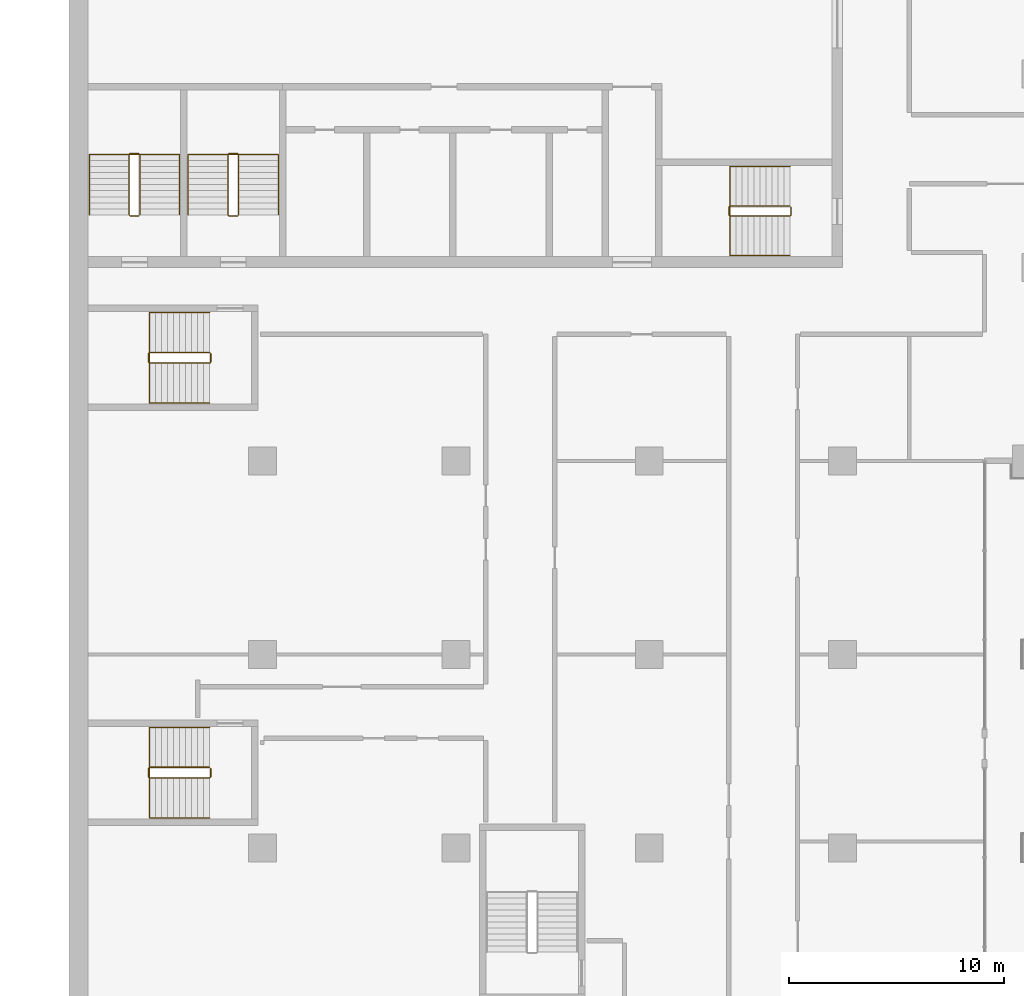
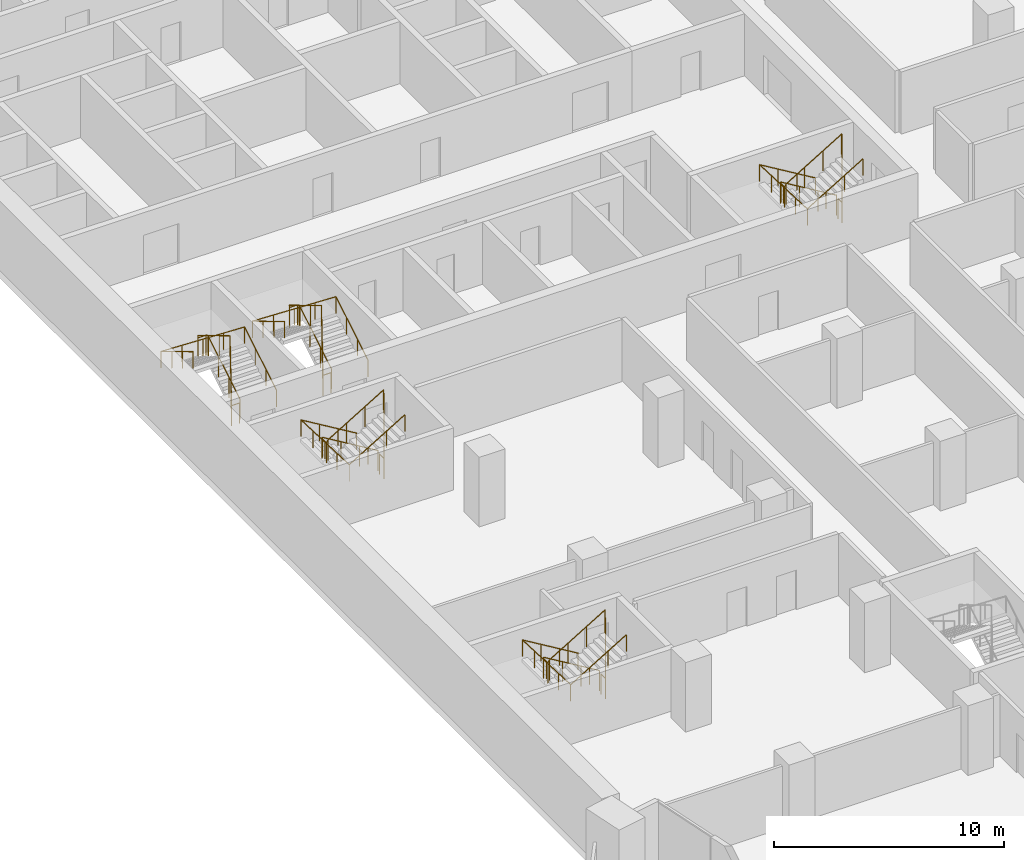
# One storey, part 20 of 22: 10 railings.
"""IFC4 building model written with IfcOpenShell, lengths in metres."""

from ifc_helpers import new_model, si_unit, direction, frame, origin, origin_2d, place, context, subcontext, project, spatial, circle, extrude, material, type_object, element, save


model = new_model("IFC4")

# Units and contexts
model_context = context("Model", 3, precision=1e-05, world=origin(), true_north=direction((0.0, 1.0)))
body_context = subcontext(model_context, "Body", "Model", "MODEL_VIEW")
ifc_project = project(units=[si_unit("LENGTHUNIT", "METRE"), si_unit("AREAUNIT", "SQUARE_METRE"), si_unit("VOLUMEUNIT", "CUBIC_METRE"), si_unit("PLANEANGLEUNIT", "RADIAN"), si_unit("MASSUNIT", "GRAM", prefix="KILO")], contexts=[model_context])

# Site, building, storey
site_placement = place(None, origin())
site = spatial("IfcSite", under=ifc_project, at=site_placement, CompositionType="ELEMENT")
building_placement = place(site_placement, origin())
building = spatial("IfcBuilding", under=site, at=building_placement, Name="Hunhe Ridgeline Campus", CompositionType="ELEMENT")
storey_placement = place(building_placement, frame((0.0, 0.0, 88.5)))
storey = spatial("IfcBuildingStorey", under=building, at=storey_placement, Name="L21", CompositionType="ELEMENT", Elevation=88.5)

# Railings
ifc_material_1 = material(Name="Stainless steel balustrade", Category="steel")
railing_type_1 = type_object("IfcRailingType", Name="Stair guard 1100 stainless", PredefinedType="GUARDRAIL", material=ifc_material_1)
railing_1_placement = place(storey_placement, frame((33.550048828125, 65.85009765625, 0.168212890625)))
element("IfcRailing", 1, at=railing_1_placement, inside=storey, type_object=railing_type_1, Name="L21 stair S2 guard", PredefinedType="GUARDRAIL", context=body_context, shape_type="SweptSolid", body=[
    extrude(circle(Radius=0.02392578125, at=origin_2d()), frame((0.0, 0.0, 1.076171875), z_axis=(-0.857242210791, 0.0, 0.514913383045), x_axis=(0.0, -1.0, 0.0)), (0.0, 0.0, 1.0), 3.266357421875),
    extrude(circle(Radius=0.02392578125, at=origin_2d()), frame((-2.800048828125, 0.0, 2.7578125), z_axis=(-0.707106781187, -0.707106781187, 0.0), x_axis=(0.707106781187, -0.707106781187, 0.0)), (0.0, 0.0, 1.0), 0.07080078125),
    extrude(circle(Radius=0.02392578125, at=origin_2d()), frame((-2.85009765625, -0.050048828125, 2.7578125), z_axis=(0.0, -1.0, 0.0), x_axis=(1.0, 0.0, 0.0)), (0.0, 0.0, 1.0), 0.35009765625),
    extrude(circle(Radius=0.02392578125, at=origin_2d()), frame((-2.85009765625, -0.400146484375, 2.7578125), z_axis=(0.274582412415, -0.274582412415, 0.921525364591), x_axis=(0.707106781187, 0.707106781187, 0.0)), (0.0, 0.0, 1.0), 0.182373046875),
    extrude(circle(Radius=0.02392578125, at=origin_2d()), frame((-2.800048828125, -0.4501953125, 2.92578125), z_axis=(0.857242210791, 0.0, 0.514913383045), x_axis=(0.0, 1.0, 0.0)), (0.0, 0.0, 1.0), 3.266357421875),
    extrude(circle(Radius=0.02392578125, at=origin_2d()), frame((0.0, -0.4501953125, 4.60791015625), z_axis=(0.013524414389, 0.013524414389, -0.999817073484), x_axis=(-0.707106781187, 0.707106781187, 0.0)), (0.0, 0.0, 1.0), 3.70068359375),
    extrude(circle(Radius=0.02392578125, at=origin_2d()), frame((0.050048828125, -0.400146484375, 0.90771484375), z_axis=(0.0, 1.0, 0.0), x_axis=(-1.0, 0.0, 0.0)), (0.0, 0.0, 1.0), 0.35009765625),
    extrude(circle(Radius=0.02099609375, at=origin_2d()), origin(), (0.0, 0.0, 1.0), 1.052001953125),
    extrude(circle(Radius=0.02099609375, at=origin_2d()), frame((-0.933349609375, 0.0, 0.560546875)), (0.0, 0.0, 1.0), 1.052001953125),
    extrude(circle(Radius=0.02099609375, at=origin_2d()), frame((-1.86669921875, 0.0, 1.121337890625)), (0.0, 0.0, 1.0), 1.052001953125),
    extrude(circle(Radius=0.02099609375, at=origin_2d()), frame((-2.800048828125, 0.0, 1.681884765625)), (0.0, 0.0, 1.0), 1.052001953125),
    extrude(circle(Radius=0.02099609375, at=origin_2d()), frame((-2.85009765625, -0.050048828125, 1.681884765625)), (0.0, 0.0, 1.0), 1.052001953125),
    extrude(circle(Radius=0.02099609375, at=origin_2d()), frame((-2.85009765625, -0.400146484375, 1.681884765625)), (0.0, 0.0, 1.0), 1.052001953125),
    extrude(circle(Radius=0.02099609375, at=origin_2d()), frame((-2.800048828125, -0.4501953125, 1.849853515625)), (0.0, 0.0, 1.0), 1.052001953125),
    extrude(circle(Radius=0.02099609375, at=origin_2d()), frame((-1.86669921875, -0.4501953125, 2.410400390625)), (0.0, 0.0, 1.0), 1.052001953125),
    extrude(circle(Radius=0.02099609375, at=origin_2d()), frame((-0.933349609375, -0.4501953125, 2.97119140625)), (0.0, 0.0, 1.0), 1.052001953125),
    extrude(circle(Radius=0.02099609375, at=origin_2d()), frame((0.0, -0.4501953125, 3.53173828125)), (0.0, 0.0, 1.0), 1.052001953125),
    extrude(circle(Radius=0.02099609375, at=origin_2d()), frame((0.012451171875, -0.437744140625, 2.606689453125)), (0.0, 0.0, 1.0), 1.052001953125),
    extrude(circle(Radius=0.02099609375, at=origin_2d()), frame((0.02490234375, -0.42529296875, 1.681640625)), (0.0, 0.0, 1.0), 1.052001953125),
    extrude(circle(Radius=0.02099609375, at=origin_2d()), frame((0.03759765625, -0.41259765625, 0.7568359375)), (0.0, 0.0, 1.0), 1.052001953125),
    extrude(circle(Radius=0.02099609375, at=origin_2d()), frame((0.050048828125, -0.400146484375, -0.168212890625)), (0.0, 0.0, 1.0), 1.052001953125),
    extrude(circle(Radius=0.02099609375, at=origin_2d()), frame((0.050048828125, -0.050048828125, -0.168212890625)), (0.0, 0.0, 1.0), 1.052001953125),
])
railing_2_placement = place(storey_placement, frame((3.300048828125, 65.449951171875, 0.168212890625)))
element("IfcRailing", 2, at=railing_2_placement, inside=storey, type_object=railing_type_1, Name="L21 stair S3 guard", PredefinedType="GUARDRAIL", context=body_context, shape_type="SweptSolid", body=[
    extrude(circle(Radius=0.02392578125, at=origin_2d()), frame((0.0, 0.0, 1.076171875), z_axis=(0.0, 0.857242210791, 0.514913383045), x_axis=(-1.0, 0.0, 0.0)), (0.0, 0.0, 1.0), 3.266357421875),
    extrude(circle(Radius=0.02392578125, at=origin_2d()), frame((0.0, 2.800048828125, 2.7578125), z_axis=(-0.707106781187, 0.707106781187, 0.0), x_axis=(-0.707106781187, -0.707106781187, 0.0)), (0.0, 0.0, 1.0), 0.07080078125),
    extrude(circle(Radius=0.02392578125, at=origin_2d()), frame((-0.050048828125, 2.85009765625, 2.7578125), z_axis=(-1.0, 0.0, 0.0), x_axis=(0.0, -1.0, 0.0)), (0.0, 0.0, 1.0), 0.39990234375),
    extrude(circle(Radius=0.02392578125, at=origin_2d()), frame((-0.449951171875, 2.85009765625, 2.7578125), z_axis=(-0.274582412415, -0.274582412415, 0.921525364591), x_axis=(0.707106781187, -0.707106781187, 0.0)), (0.0, 0.0, 1.0), 0.182373046875),
    extrude(circle(Radius=0.02392578125, at=origin_2d()), frame((-0.5, 2.800048828125, 2.92578125), z_axis=(0.0, -0.857242210791, 0.514913383045), x_axis=(1.0, 0.0, 0.0)), (0.0, 0.0, 1.0), 3.266357421875),
    extrude(circle(Radius=0.02392578125, at=origin_2d()), frame((-0.5, 0.0, 4.60791015625), z_axis=(0.013524414389, -0.013524414389, -0.999817073484), x_axis=(0.707106781187, 0.707106781187, 0.0)), (0.0, 0.0, 1.0), 3.70068359375),
    extrude(circle(Radius=0.02392578125, at=origin_2d()), frame((-0.449951171875, -0.050048828125, 0.90771484375), z_axis=(1.0, 0.0, 0.0), x_axis=(0.0, 1.0, 0.0)), (0.0, 0.0, 1.0), 0.39990234375),
    extrude(circle(Radius=0.02099609375, at=origin_2d()), origin(), (0.0, 0.0, 1.0), 1.052001953125),
    extrude(circle(Radius=0.02099609375, at=origin_2d()), frame((0.0, 0.933349609375, 0.560546875)), (0.0, 0.0, 1.0), 1.052001953125),
    extrude(circle(Radius=0.02099609375, at=origin_2d()), frame((0.0, 1.86669921875, 1.121337890625)), (0.0, 0.0, 1.0), 1.052001953125),
    extrude(circle(Radius=0.02099609375, at=origin_2d()), frame((0.0, 2.800048828125, 1.681884765625)), (0.0, 0.0, 1.0), 1.052001953125),
    extrude(circle(Radius=0.02099609375, at=origin_2d()), frame((-0.050048828125, 2.85009765625, 1.681884765625)), (0.0, 0.0, 1.0), 1.052001953125),
    extrude(circle(Radius=0.02099609375, at=origin_2d()), frame((-0.449951171875, 2.85009765625, 1.681884765625)), (0.0, 0.0, 1.0), 1.052001953125),
    extrude(circle(Radius=0.02099609375, at=origin_2d()), frame((-0.5, 2.800048828125, 1.849853515625)), (0.0, 0.0, 1.0), 1.052001953125),
    extrude(circle(Radius=0.02099609375, at=origin_2d()), frame((-0.5, 1.86669921875, 2.410400390625)), (0.0, 0.0, 1.0), 1.052001953125),
    extrude(circle(Radius=0.02099609375, at=origin_2d()), frame((-0.5, 0.933349609375, 2.97119140625)), (0.0, 0.0, 1.0), 1.052001953125),
    extrude(circle(Radius=0.02099609375, at=origin_2d()), frame((-0.5, 0.0, 3.53173828125)), (0.0, 0.0, 1.0), 1.052001953125),
    extrude(circle(Radius=0.02099609375, at=origin_2d()), frame((-0.487548828125, -0.012451171875, 2.606689453125)), (0.0, 0.0, 1.0), 1.052001953125),
    extrude(circle(Radius=0.02099609375, at=origin_2d()), frame((-0.47509765625, -0.02490234375, 1.681640625)), (0.0, 0.0, 1.0), 1.052001953125),
    extrude(circle(Radius=0.02099609375, at=origin_2d()), frame((-0.46240234375, -0.03759765625, 0.7568359375)), (0.0, 0.0, 1.0), 1.052001953125),
    extrude(circle(Radius=0.02099609375, at=origin_2d()), frame((-0.449951171875, -0.050048828125, -0.168212890625)), (0.0, 0.0, 1.0), 1.052001953125),
    extrude(circle(Radius=0.02099609375, at=origin_2d()), frame((-0.050048828125, -0.050048828125, -0.168212890625)), (0.0, 0.0, 1.0), 1.052001953125),
])
railing_3_placement = place(storey_placement, frame((7.89990234375, 65.449951171875, 0.168212890625)))
element("IfcRailing", 3, at=railing_3_placement, inside=storey, type_object=railing_type_1, Name="L21 stair S4 guard", PredefinedType="GUARDRAIL", context=body_context, shape_type="SweptSolid", body=[
    extrude(circle(Radius=0.02392578125, at=origin_2d()), frame((0.0, 0.0, 1.076171875), z_axis=(0.0, 0.857242210791, 0.514913383045), x_axis=(-1.0, 0.0, 0.0)), (0.0, 0.0, 1.0), 3.266357421875),
    extrude(circle(Radius=0.02392578125, at=origin_2d()), frame((0.0, 2.800048828125, 2.7578125), z_axis=(-0.705375805398, 0.708833529934, 0.0), x_axis=(-0.708833529934, -0.705375805398, 0.0)), (0.0, 0.0, 1.0), 0.070556640625),
    extrude(circle(Radius=0.02392578125, at=origin_2d()), frame((-0.0498046875, 2.85009765625, 2.7578125), z_axis=(-1.0, 0.0, 0.0), x_axis=(0.0, -1.0, 0.0)), (0.0, 0.0, 1.0), 0.400146484375),
    extrude(circle(Radius=0.02392578125, at=origin_2d()), frame((-0.449951171875, 2.85009765625, 2.7578125), z_axis=(-0.274582412415, -0.274582412415, 0.921525364591), x_axis=(0.707106781187, -0.707106781187, 0.0)), (0.0, 0.0, 1.0), 0.182373046875),
    extrude(circle(Radius=0.02392578125, at=origin_2d()), frame((-0.5, 2.800048828125, 2.92578125), z_axis=(0.0, -0.857242210791, 0.514913383045), x_axis=(1.0, 0.0, 0.0)), (0.0, 0.0, 1.0), 3.266357421875),
    extrude(circle(Radius=0.02392578125, at=origin_2d()), frame((-0.5, 0.0, 4.60791015625), z_axis=(0.013524414389, -0.013524414389, -0.999817073484), x_axis=(0.707106781187, 0.707106781187, 0.0)), (0.0, 0.0, 1.0), 3.70068359375),
    extrude(circle(Radius=0.02392578125, at=origin_2d()), frame((-0.449951171875, -0.050048828125, 0.90771484375), z_axis=(1.0, 0.0, 0.0), x_axis=(0.0, 1.0, 0.0)), (0.0, 0.0, 1.0), 0.400146484375),
    extrude(circle(Radius=0.02099609375, at=origin_2d()), origin(), (0.0, 0.0, 1.0), 1.052001953125),
    extrude(circle(Radius=0.02099609375, at=origin_2d()), frame((0.0, 0.933349609375, 0.560546875)), (0.0, 0.0, 1.0), 1.052001953125),
    extrude(circle(Radius=0.02099609375, at=origin_2d()), frame((0.0, 1.86669921875, 1.121337890625)), (0.0, 0.0, 1.0), 1.052001953125),
    extrude(circle(Radius=0.02099609375, at=origin_2d()), frame((0.0, 2.800048828125, 1.681884765625)), (0.0, 0.0, 1.0), 1.052001953125),
    extrude(circle(Radius=0.02099609375, at=origin_2d()), frame((-0.0498046875, 2.85009765625, 1.681884765625)), (0.0, 0.0, 1.0), 1.052001953125),
    extrude(circle(Radius=0.02099609375, at=origin_2d()), frame((-0.449951171875, 2.85009765625, 1.681884765625)), (0.0, 0.0, 1.0), 1.052001953125),
    extrude(circle(Radius=0.02099609375, at=origin_2d()), frame((-0.5, 2.800048828125, 1.849853515625)), (0.0, 0.0, 1.0), 1.052001953125),
    extrude(circle(Radius=0.02099609375, at=origin_2d()), frame((-0.5, 1.86669921875, 2.410400390625)), (0.0, 0.0, 1.0), 1.052001953125),
    extrude(circle(Radius=0.02099609375, at=origin_2d()), frame((-0.5, 0.933349609375, 2.97119140625)), (0.0, 0.0, 1.0), 1.052001953125),
    extrude(circle(Radius=0.02099609375, at=origin_2d()), frame((-0.5, 0.0, 3.53173828125)), (0.0, 0.0, 1.0), 1.052001953125),
    extrude(circle(Radius=0.02099609375, at=origin_2d()), frame((-0.487548828125, -0.012451171875, 2.606689453125)), (0.0, 0.0, 1.0), 1.052001953125),
    extrude(circle(Radius=0.02099609375, at=origin_2d()), frame((-0.47509765625, -0.02490234375, 1.681640625)), (0.0, 0.0, 1.0), 1.052001953125),
    extrude(circle(Radius=0.02099609375, at=origin_2d()), frame((-0.46240234375, -0.03759765625, 0.7568359375)), (0.0, 0.0, 1.0), 1.052001953125),
    extrude(circle(Radius=0.02099609375, at=origin_2d()), frame((-0.449951171875, -0.050048828125, -0.168212890625)), (0.0, 0.0, 1.0), 1.052001953125),
    extrude(circle(Radius=0.02099609375, at=origin_2d()), frame((-0.0498046875, -0.050048828125, -0.168212890625)), (0.0, 0.0, 1.0), 1.052001953125),
])
railing_4_placement = place(storey_placement, frame((6.550048828125, 39.75, 0.168212890625)))
element("IfcRailing", 4, at=railing_4_placement, inside=storey, type_object=railing_type_1, Name="L21 stair W1 guard", PredefinedType="GUARDRAIL", context=body_context, shape_type="SweptSolid", body=[
    extrude(circle(Radius=0.02392578125, at=origin_2d()), frame((0.0, 0.0, 1.076171875), z_axis=(-0.857242210791, 0.0, 0.514913383045), x_axis=(0.0, -1.0, 0.0)), (0.0, 0.0, 1.0), 3.266357421875),
    extrude(circle(Radius=0.02392578125, at=origin_2d()), frame((-2.800048828125, 0.0, 2.7578125), z_axis=(-0.707106781187, -0.707106781187, 0.0), x_axis=(0.707106781187, -0.707106781187, 0.0)), (0.0, 0.0, 1.0), 0.07080078125),
    extrude(circle(Radius=0.02392578125, at=origin_2d()), frame((-2.85009765625, -0.050048828125, 2.7578125), z_axis=(0.0, -1.0, 0.0), x_axis=(1.0, 0.0, 0.0)), (0.0, 0.0, 1.0), 0.39990234375),
    extrude(circle(Radius=0.02392578125, at=origin_2d()), frame((-2.85009765625, -0.449951171875, 2.7578125), z_axis=(0.274582412415, -0.274582412415, 0.921525364591), x_axis=(0.707106781187, 0.707106781187, 0.0)), (0.0, 0.0, 1.0), 0.182373046875),
    extrude(circle(Radius=0.02392578125, at=origin_2d()), frame((-2.800048828125, -0.5, 2.92578125), z_axis=(0.857242210791, 0.0, 0.514913383045), x_axis=(0.0, 1.0, 0.0)), (0.0, 0.0, 1.0), 3.266357421875),
    extrude(circle(Radius=0.02392578125, at=origin_2d()), frame((0.0, -0.5, 4.60791015625), z_axis=(0.013524414389, 0.013524414389, -0.999817073484), x_axis=(-0.707106781187, 0.707106781187, 0.0)), (0.0, 0.0, 1.0), 3.70068359375),
    extrude(circle(Radius=0.02392578125, at=origin_2d()), frame((0.050048828125, -0.449951171875, 0.90771484375), z_axis=(0.0, 1.0, 0.0), x_axis=(-1.0, 0.0, 0.0)), (0.0, 0.0, 1.0), 0.39990234375),
    extrude(circle(Radius=0.02099609375, at=origin_2d()), origin(), (0.0, 0.0, 1.0), 1.052001953125),
    extrude(circle(Radius=0.02099609375, at=origin_2d()), frame((-0.933349609375, 0.0, 0.560546875)), (0.0, 0.0, 1.0), 1.052001953125),
    extrude(circle(Radius=0.02099609375, at=origin_2d()), frame((-1.86669921875, 0.0, 1.121337890625)), (0.0, 0.0, 1.0), 1.052001953125),
    extrude(circle(Radius=0.02099609375, at=origin_2d()), frame((-2.800048828125, 0.0, 1.681884765625)), (0.0, 0.0, 1.0), 1.052001953125),
    extrude(circle(Radius=0.02099609375, at=origin_2d()), frame((-2.85009765625, -0.050048828125, 1.681884765625)), (0.0, 0.0, 1.0), 1.052001953125),
    extrude(circle(Radius=0.02099609375, at=origin_2d()), frame((-2.85009765625, -0.449951171875, 1.681884765625)), (0.0, 0.0, 1.0), 1.052001953125),
    extrude(circle(Radius=0.02099609375, at=origin_2d()), frame((-2.800048828125, -0.5, 1.849853515625)), (0.0, 0.0, 1.0), 1.052001953125),
    extrude(circle(Radius=0.02099609375, at=origin_2d()), frame((-1.86669921875, -0.5, 2.410400390625)), (0.0, 0.0, 1.0), 1.052001953125),
    extrude(circle(Radius=0.02099609375, at=origin_2d()), frame((-0.933349609375, -0.5, 2.97119140625)), (0.0, 0.0, 1.0), 1.052001953125),
    extrude(circle(Radius=0.02099609375, at=origin_2d()), frame((0.0, -0.5, 3.53173828125)), (0.0, 0.0, 1.0), 1.052001953125),
    extrude(circle(Radius=0.02099609375, at=origin_2d()), frame((0.012451171875, -0.487548828125, 2.606689453125)), (0.0, 0.0, 1.0), 1.052001953125),
    extrude(circle(Radius=0.02099609375, at=origin_2d()), frame((0.02490234375, -0.47509765625, 1.681640625)), (0.0, 0.0, 1.0), 1.052001953125),
    extrude(circle(Radius=0.02099609375, at=origin_2d()), frame((0.03759765625, -0.46240234375, 0.7568359375)), (0.0, 0.0, 1.0), 1.052001953125),
    extrude(circle(Radius=0.02099609375, at=origin_2d()), frame((0.050048828125, -0.449951171875, -0.168212890625)), (0.0, 0.0, 1.0), 1.052001953125),
    extrude(circle(Radius=0.02099609375, at=origin_2d()), frame((0.050048828125, -0.050048828125, -0.168212890625)), (0.0, 0.0, 1.0), 1.052001953125),
])
railing_5_placement = place(storey_placement, frame((6.550048828125, 59.050048828125, 0.168212890625)))
element("IfcRailing", 5, at=railing_5_placement, inside=storey, type_object=railing_type_1, Name="L21 stair W2 guard", PredefinedType="GUARDRAIL", context=body_context, shape_type="SweptSolid", body=[
    extrude(circle(Radius=0.02392578125, at=origin_2d()), frame((0.0, 0.0, 1.076171875), z_axis=(-0.857242210791, 0.0, 0.514913383045), x_axis=(0.0, -1.0, 0.0)), (0.0, 0.0, 1.0), 3.266357421875),
    extrude(circle(Radius=0.02392578125, at=origin_2d()), frame((-2.800048828125, 0.0, 2.7578125), z_axis=(-0.707106781187, -0.707106781187, 0.0), x_axis=(0.707106781187, -0.707106781187, 0.0)), (0.0, 0.0, 1.0), 0.07080078125),
    extrude(circle(Radius=0.02392578125, at=origin_2d()), frame((-2.85009765625, -0.050048828125, 2.7578125), z_axis=(0.0, -1.0, 0.0), x_axis=(1.0, 0.0, 0.0)), (0.0, 0.0, 1.0), 0.39990234375),
    extrude(circle(Radius=0.02392578125, at=origin_2d()), frame((-2.85009765625, -0.449951171875, 2.7578125), z_axis=(0.274582412415, -0.274582412415, 0.921525364591), x_axis=(0.707106781187, 0.707106781187, 0.0)), (0.0, 0.0, 1.0), 0.182373046875),
    extrude(circle(Radius=0.02392578125, at=origin_2d()), frame((-2.800048828125, -0.5, 2.92578125), z_axis=(0.857242210791, 0.0, 0.514913383045), x_axis=(0.0, 1.0, 0.0)), (0.0, 0.0, 1.0), 3.266357421875),
    extrude(circle(Radius=0.02392578125, at=origin_2d()), frame((0.0, -0.5, 4.60791015625), z_axis=(0.013524414389, 0.013524414389, -0.999817073484), x_axis=(-0.707106781187, 0.707106781187, 0.0)), (0.0, 0.0, 1.0), 3.70068359375),
    extrude(circle(Radius=0.02392578125, at=origin_2d()), frame((0.050048828125, -0.449951171875, 0.90771484375), z_axis=(0.0, 1.0, 0.0), x_axis=(-1.0, 0.0, 0.0)), (0.0, 0.0, 1.0), 0.39990234375),
    extrude(circle(Radius=0.02099609375, at=origin_2d()), origin(), (0.0, 0.0, 1.0), 1.052001953125),
    extrude(circle(Radius=0.02099609375, at=origin_2d()), frame((-0.933349609375, 0.0, 0.560546875)), (0.0, 0.0, 1.0), 1.052001953125),
    extrude(circle(Radius=0.02099609375, at=origin_2d()), frame((-1.86669921875, 0.0, 1.121337890625)), (0.0, 0.0, 1.0), 1.052001953125),
    extrude(circle(Radius=0.02099609375, at=origin_2d()), frame((-2.800048828125, 0.0, 1.681884765625)), (0.0, 0.0, 1.0), 1.052001953125),
    extrude(circle(Radius=0.02099609375, at=origin_2d()), frame((-2.85009765625, -0.050048828125, 1.681884765625)), (0.0, 0.0, 1.0), 1.052001953125),
    extrude(circle(Radius=0.02099609375, at=origin_2d()), frame((-2.85009765625, -0.449951171875, 1.681884765625)), (0.0, 0.0, 1.0), 1.052001953125),
    extrude(circle(Radius=0.02099609375, at=origin_2d()), frame((-2.800048828125, -0.5, 1.849853515625)), (0.0, 0.0, 1.0), 1.052001953125),
    extrude(circle(Radius=0.02099609375, at=origin_2d()), frame((-1.86669921875, -0.5, 2.410400390625)), (0.0, 0.0, 1.0), 1.052001953125),
    extrude(circle(Radius=0.02099609375, at=origin_2d()), frame((-0.933349609375, -0.5, 2.97119140625)), (0.0, 0.0, 1.0), 1.052001953125),
    extrude(circle(Radius=0.02099609375, at=origin_2d()), frame((0.0, -0.5, 3.53173828125)), (0.0, 0.0, 1.0), 1.052001953125),
    extrude(circle(Radius=0.02099609375, at=origin_2d()), frame((0.012451171875, -0.487548828125, 2.606689453125)), (0.0, 0.0, 1.0), 1.052001953125),
    extrude(circle(Radius=0.02099609375, at=origin_2d()), frame((0.02490234375, -0.47509765625, 1.681640625)), (0.0, 0.0, 1.0), 1.052001953125),
    extrude(circle(Radius=0.02099609375, at=origin_2d()), frame((0.03759765625, -0.46240234375, 0.7568359375)), (0.0, 0.0, 1.0), 1.052001953125),
    extrude(circle(Radius=0.02099609375, at=origin_2d()), frame((0.050048828125, -0.449951171875, -0.168212890625)), (0.0, 0.0, 1.0), 1.052001953125),
    extrude(circle(Radius=0.02099609375, at=origin_2d()), frame((0.050048828125, -0.050048828125, -0.168212890625)), (0.0, 0.0, 1.0), 1.052001953125),
])
ifc_material_2 = material(Name="Stainless steel handrail", Category="steel")
railing_type_2 = type_object("IfcRailingType", Name="Stair handrail 900 stainless", PredefinedType="HANDRAIL", material=ifc_material_2)
railing_6_placement = place(storey_placement, frame((33.550048828125, 67.699951171875, 0.168212890625)))
element("IfcRailing", 6, at=railing_6_placement, inside=storey, type_object=railing_type_2, Name="L21 stair S2 handrail", PredefinedType="HANDRAIL", context=body_context, shape_type="SweptSolid", body=[
    extrude(circle(Radius=0.02392578125, at=origin_2d()), frame((0.0, 0.0, 0.8759765625), z_axis=(-0.857242210791, 0.0, 0.514913383045), x_axis=(0.0, -1.0, 0.0)), (0.0, 0.0, 1.0), 3.266357421875),
    extrude(circle(Radius=0.02392578125, at=origin_2d()), frame((-2.800048828125, 0.0, 2.5576171875), z_axis=(0.0, -0.999181878101, 0.040442236271), x_axis=(1.0, 0.0, 0.0)), (0.0, 0.0, 1.0), 4.1533203125),
    extrude(circle(Radius=0.02392578125, at=origin_2d()), frame((-2.800048828125, -4.14990234375, 2.7255859375), z_axis=(0.857242210791, 0.0, 0.514913383045), x_axis=(0.0, 1.0, 0.0)), (0.0, 0.0, 1.0), 3.266357421875),
    extrude(circle(Radius=0.02099609375, at=origin_2d()), origin(), (0.0, 0.0, 1.0), 0.851806640625),
    extrude(circle(Radius=0.02099609375, at=origin_2d()), frame((-0.933349609375, 0.0, 0.560546875)), (0.0, 0.0, 1.0), 0.851806640625),
    extrude(circle(Radius=0.02099609375, at=origin_2d()), frame((-1.86669921875, 0.0, 1.121337890625)), (0.0, 0.0, 1.0), 0.851806640625),
    extrude(circle(Radius=0.02099609375, at=origin_2d()), frame((-2.800048828125, 0.0, 1.681884765625)), (0.0, 0.0, 1.0), 0.851806640625),
    extrude(circle(Radius=0.02099609375, at=origin_2d()), frame((-2.800048828125, -1.03759765625, 1.723876953125)), (0.0, 0.0, 1.0), 0.851806640625),
    extrude(circle(Radius=0.02099609375, at=origin_2d()), frame((-2.800048828125, -2.074951171875, 1.765869140625)), (0.0, 0.0, 1.0), 0.851806640625),
    extrude(circle(Radius=0.02099609375, at=origin_2d()), frame((-2.800048828125, -3.1123046875, 1.807861328125)), (0.0, 0.0, 1.0), 0.851806640625),
    extrude(circle(Radius=0.02099609375, at=origin_2d()), frame((-2.800048828125, -4.14990234375, 1.849853515625)), (0.0, 0.0, 1.0), 0.851806640625),
    extrude(circle(Radius=0.02099609375, at=origin_2d()), frame((-1.86669921875, -4.14990234375, 2.410400390625)), (0.0, 0.0, 1.0), 0.851806640625),
    extrude(circle(Radius=0.02099609375, at=origin_2d()), frame((-0.933349609375, -4.14990234375, 2.97119140625)), (0.0, 0.0, 1.0), 0.851806640625),
    extrude(circle(Radius=0.02099609375, at=origin_2d()), frame((0.0, -4.14990234375, 3.53173828125)), (0.0, 0.0, 1.0), 0.851806640625),
])
railing_7_placement = place(storey_placement, frame((5.14990234375, 65.449951171875, 0.168212890625)))
element("IfcRailing", 7, at=railing_7_placement, inside=storey, type_object=railing_type_2, Name="L21 stair S3 handrail", PredefinedType="HANDRAIL", context=body_context, shape_type="SweptSolid", body=[
    extrude(circle(Radius=0.02392578125, at=origin_2d()), frame((0.0, 0.0, 0.8759765625), z_axis=(0.0, 0.857242210791, 0.514913383045), x_axis=(-1.0, 0.0, 0.0)), (0.0, 0.0, 1.0), 3.266357421875),
    extrude(circle(Radius=0.02392578125, at=origin_2d()), frame((0.0, 2.800048828125, 2.5576171875), z_axis=(-0.99920123705, 0.0, 0.039961079526), x_axis=(0.0, -1.0, 0.0)), (0.0, 0.0, 1.0), 4.203369140625),
    extrude(circle(Radius=0.02392578125, at=origin_2d()), frame((-4.199951171875, 2.800048828125, 2.7255859375), z_axis=(0.0, -0.857242210791, 0.514913383045), x_axis=(1.0, 0.0, 0.0)), (0.0, 0.0, 1.0), 3.266357421875),
    extrude(circle(Radius=0.02099609375, at=origin_2d()), origin(), (0.0, 0.0, 1.0), 0.851806640625),
    extrude(circle(Radius=0.02099609375, at=origin_2d()), frame((0.0, 0.933349609375, 0.560546875)), (0.0, 0.0, 1.0), 0.851806640625),
    extrude(circle(Radius=0.02099609375, at=origin_2d()), frame((0.0, 1.86669921875, 1.121337890625)), (0.0, 0.0, 1.0), 0.851806640625),
    extrude(circle(Radius=0.02099609375, at=origin_2d()), frame((0.0, 2.800048828125, 1.681884765625)), (0.0, 0.0, 1.0), 0.851806640625),
    extrude(circle(Radius=0.02099609375, at=origin_2d()), frame((-1.050048828125, 2.800048828125, 1.723876953125)), (0.0, 0.0, 1.0), 0.851806640625),
    extrude(circle(Radius=0.02099609375, at=origin_2d()), frame((-2.10009765625, 2.800048828125, 1.765869140625)), (0.0, 0.0, 1.0), 0.851806640625),
    extrude(circle(Radius=0.02099609375, at=origin_2d()), frame((-3.14990234375, 2.800048828125, 1.807861328125)), (0.0, 0.0, 1.0), 0.851806640625),
    extrude(circle(Radius=0.02099609375, at=origin_2d()), frame((-4.199951171875, 2.800048828125, 1.849853515625)), (0.0, 0.0, 1.0), 0.851806640625),
    extrude(circle(Radius=0.02099609375, at=origin_2d()), frame((-4.199951171875, 1.86669921875, 2.410400390625)), (0.0, 0.0, 1.0), 0.851806640625),
    extrude(circle(Radius=0.02099609375, at=origin_2d()), frame((-4.199951171875, 0.933349609375, 2.97119140625)), (0.0, 0.0, 1.0), 0.851806640625),
    extrude(circle(Radius=0.02099609375, at=origin_2d()), frame((-4.199951171875, 0.0, 3.53173828125)), (0.0, 0.0, 1.0), 0.851806640625),
])
railing_8_placement = place(storey_placement, frame((9.75, 65.449951171875, 0.168212890625)))
element("IfcRailing", 8, at=railing_8_placement, inside=storey, type_object=railing_type_2, Name="L21 stair S4 handrail", PredefinedType="HANDRAIL", context=body_context, shape_type="SweptSolid", body=[
    extrude(circle(Radius=0.02392578125, at=origin_2d()), frame((0.0, 0.0, 0.8759765625), z_axis=(0.0, 0.857242210791, 0.514913383045), x_axis=(-1.0, 0.0, 0.0)), (0.0, 0.0, 1.0), 3.266357421875),
    extrude(circle(Radius=0.02392578125, at=origin_2d()), frame((0.0, 2.800048828125, 2.5576171875), z_axis=(-0.99920123705, 0.0, 0.039961079526), x_axis=(0.0, -1.0, 0.0)), (0.0, 0.0, 1.0), 4.203369140625),
    extrude(circle(Radius=0.02392578125, at=origin_2d()), frame((-4.199951171875, 2.800048828125, 2.7255859375), z_axis=(0.0, -0.857242210791, 0.514913383045), x_axis=(1.0, 0.0, 0.0)), (0.0, 0.0, 1.0), 3.266357421875),
    extrude(circle(Radius=0.02099609375, at=origin_2d()), origin(), (0.0, 0.0, 1.0), 0.851806640625),
    extrude(circle(Radius=0.02099609375, at=origin_2d()), frame((0.0, 0.933349609375, 0.560546875)), (0.0, 0.0, 1.0), 0.851806640625),
    extrude(circle(Radius=0.02099609375, at=origin_2d()), frame((0.0, 1.86669921875, 1.121337890625)), (0.0, 0.0, 1.0), 0.851806640625),
    extrude(circle(Radius=0.02099609375, at=origin_2d()), frame((0.0, 2.800048828125, 1.681884765625)), (0.0, 0.0, 1.0), 0.851806640625),
    extrude(circle(Radius=0.02099609375, at=origin_2d()), frame((-1.050048828125, 2.800048828125, 1.723876953125)), (0.0, 0.0, 1.0), 0.851806640625),
    extrude(circle(Radius=0.02099609375, at=origin_2d()), frame((-2.10009765625, 2.800048828125, 1.765869140625)), (0.0, 0.0, 1.0), 0.851806640625),
    extrude(circle(Radius=0.02099609375, at=origin_2d()), frame((-3.14990234375, 2.800048828125, 1.807861328125)), (0.0, 0.0, 1.0), 0.851806640625),
    extrude(circle(Radius=0.02099609375, at=origin_2d()), frame((-4.199951171875, 2.800048828125, 1.849853515625)), (0.0, 0.0, 1.0), 0.851806640625),
    extrude(circle(Radius=0.02099609375, at=origin_2d()), frame((-4.199951171875, 1.86669921875, 2.410400390625)), (0.0, 0.0, 1.0), 0.851806640625),
    extrude(circle(Radius=0.02099609375, at=origin_2d()), frame((-4.199951171875, 0.933349609375, 2.97119140625)), (0.0, 0.0, 1.0), 0.851806640625),
    extrude(circle(Radius=0.02099609375, at=origin_2d()), frame((-4.199951171875, 0.0, 3.53173828125)), (0.0, 0.0, 1.0), 0.851806640625),
])
railing_9_placement = place(storey_placement, frame((6.550048828125, 41.60009765625, 0.168212890625)))
element("IfcRailing", 9, at=railing_9_placement, inside=storey, type_object=railing_type_2, Name="L21 stair W1 handrail", PredefinedType="HANDRAIL", context=body_context, shape_type="SweptSolid", body=[
    extrude(circle(Radius=0.02392578125, at=origin_2d()), frame((0.0, 0.0, 0.8759765625), z_axis=(-0.857242210791, 0.0, 0.514913383045), x_axis=(0.0, -1.0, 0.0)), (0.0, 0.0, 1.0), 3.266357421875),
    extrude(circle(Radius=0.02392578125, at=origin_2d()), frame((-2.800048828125, 0.0, 2.5576171875), z_axis=(0.0, -0.999201329794, 0.039958760457), x_axis=(1.0, 0.0, 0.0)), (0.0, 0.0, 1.0), 4.20361328125),
    extrude(circle(Radius=0.02392578125, at=origin_2d()), frame((-2.800048828125, -4.2001953125, 2.7255859375), z_axis=(0.857242210791, 0.0, 0.514913383045), x_axis=(0.0, 1.0, 0.0)), (0.0, 0.0, 1.0), 3.266357421875),
    extrude(circle(Radius=0.02099609375, at=origin_2d()), origin(), (0.0, 0.0, 1.0), 0.851806640625),
    extrude(circle(Radius=0.02099609375, at=origin_2d()), frame((-0.933349609375, 0.0, 0.560546875)), (0.0, 0.0, 1.0), 0.851806640625),
    extrude(circle(Radius=0.02099609375, at=origin_2d()), frame((-1.86669921875, 0.0, 1.121337890625)), (0.0, 0.0, 1.0), 0.851806640625),
    extrude(circle(Radius=0.02099609375, at=origin_2d()), frame((-2.800048828125, 0.0, 1.681884765625)), (0.0, 0.0, 1.0), 0.851806640625),
    extrude(circle(Radius=0.02099609375, at=origin_2d()), frame((-2.800048828125, -1.050048828125, 1.723876953125)), (0.0, 0.0, 1.0), 0.851806640625),
    extrude(circle(Radius=0.02099609375, at=origin_2d()), frame((-2.800048828125, -2.10009765625, 1.765869140625)), (0.0, 0.0, 1.0), 0.851806640625),
    extrude(circle(Radius=0.02099609375, at=origin_2d()), frame((-2.800048828125, -3.150146484375, 1.807861328125)), (0.0, 0.0, 1.0), 0.851806640625),
    extrude(circle(Radius=0.02099609375, at=origin_2d()), frame((-2.800048828125, -4.2001953125, 1.849853515625)), (0.0, 0.0, 1.0), 0.851806640625),
    extrude(circle(Radius=0.02099609375, at=origin_2d()), frame((-1.86669921875, -4.2001953125, 2.410400390625)), (0.0, 0.0, 1.0), 0.851806640625),
    extrude(circle(Radius=0.02099609375, at=origin_2d()), frame((-0.933349609375, -4.2001953125, 2.97119140625)), (0.0, 0.0, 1.0), 0.851806640625),
    extrude(circle(Radius=0.02099609375, at=origin_2d()), frame((0.0, -4.2001953125, 3.53173828125)), (0.0, 0.0, 1.0), 0.851806640625),
])
railing_10_placement = place(storey_placement, frame((6.550048828125, 60.89990234375, 0.168212890625)))
element("IfcRailing", 10, at=railing_10_placement, inside=storey, type_object=railing_type_2, Name="L21 stair W2 handrail", PredefinedType="HANDRAIL", context=body_context, shape_type="SweptSolid", body=[
    extrude(circle(Radius=0.02392578125, at=origin_2d()), frame((0.0, 0.0, 0.8759765625), z_axis=(-0.857242210791, 0.0, 0.514913383045), x_axis=(0.0, -1.0, 0.0)), (0.0, 0.0, 1.0), 3.266357421875),
    extrude(circle(Radius=0.02392578125, at=origin_2d()), frame((-2.800048828125, 0.0, 2.5576171875), z_axis=(0.0, -0.99920123705, 0.039961079526), x_axis=(1.0, 0.0, 0.0)), (0.0, 0.0, 1.0), 4.203369140625),
    extrude(circle(Radius=0.02392578125, at=origin_2d()), frame((-2.800048828125, -4.199951171875, 2.7255859375), z_axis=(0.857242210791, 0.0, 0.514913383045), x_axis=(0.0, 1.0, 0.0)), (0.0, 0.0, 1.0), 3.266357421875),
    extrude(circle(Radius=0.02099609375, at=origin_2d()), origin(), (0.0, 0.0, 1.0), 0.851806640625),
    extrude(circle(Radius=0.02099609375, at=origin_2d()), frame((-0.933349609375, 0.0, 0.560546875)), (0.0, 0.0, 1.0), 0.851806640625),
    extrude(circle(Radius=0.02099609375, at=origin_2d()), frame((-1.86669921875, 0.0, 1.121337890625)), (0.0, 0.0, 1.0), 0.851806640625),
    extrude(circle(Radius=0.02099609375, at=origin_2d()), frame((-2.800048828125, 0.0, 1.681884765625)), (0.0, 0.0, 1.0), 0.851806640625),
    extrude(circle(Radius=0.02099609375, at=origin_2d()), frame((-2.800048828125, -1.050048828125, 1.723876953125)), (0.0, 0.0, 1.0), 0.851806640625),
    extrude(circle(Radius=0.02099609375, at=origin_2d()), frame((-2.800048828125, -2.10009765625, 1.765869140625)), (0.0, 0.0, 1.0), 0.851806640625),
    extrude(circle(Radius=0.02099609375, at=origin_2d()), frame((-2.800048828125, -3.14990234375, 1.807861328125)), (0.0, 0.0, 1.0), 0.851806640625),
    extrude(circle(Radius=0.02099609375, at=origin_2d()), frame((-2.800048828125, -4.199951171875, 1.849853515625)), (0.0, 0.0, 1.0), 0.851806640625),
    extrude(circle(Radius=0.02099609375, at=origin_2d()), frame((-1.86669921875, -4.199951171875, 2.410400390625)), (0.0, 0.0, 1.0), 0.851806640625),
    extrude(circle(Radius=0.02099609375, at=origin_2d()), frame((-0.933349609375, -4.199951171875, 2.97119140625)), (0.0, 0.0, 1.0), 0.851806640625),
    extrude(circle(Radius=0.02099609375, at=origin_2d()), frame((0.0, -4.199951171875, 3.53173828125)), (0.0, 0.0, 1.0), 0.851806640625),
])

save(model, "model.ifc")
